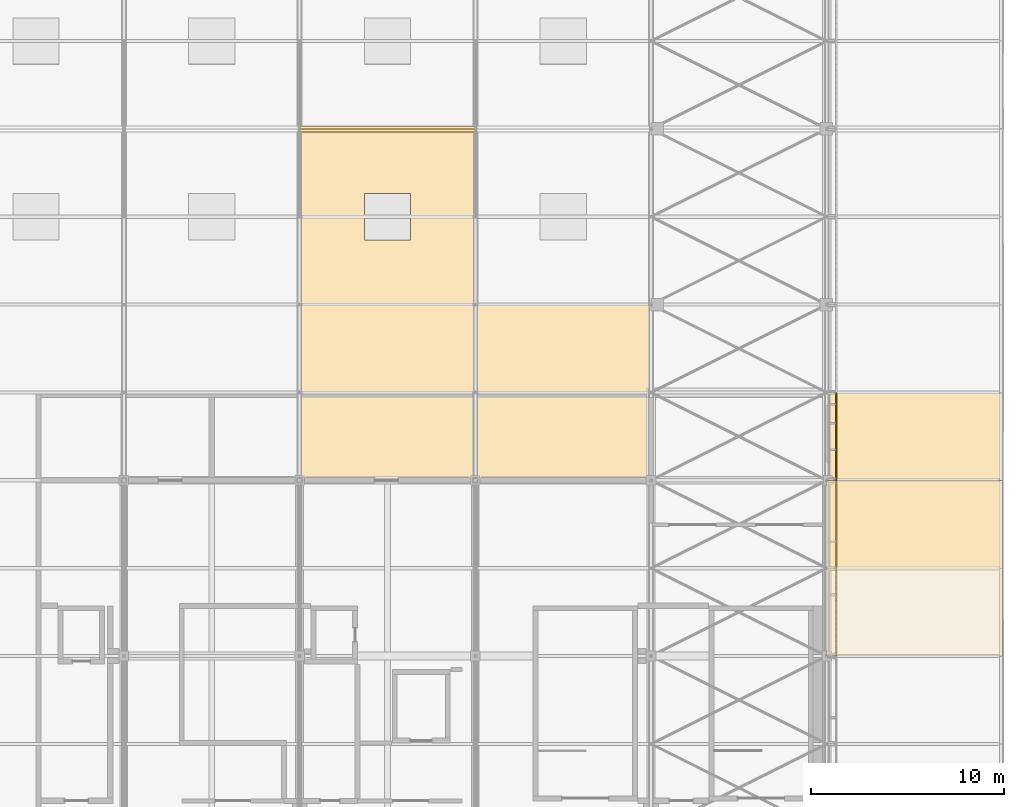
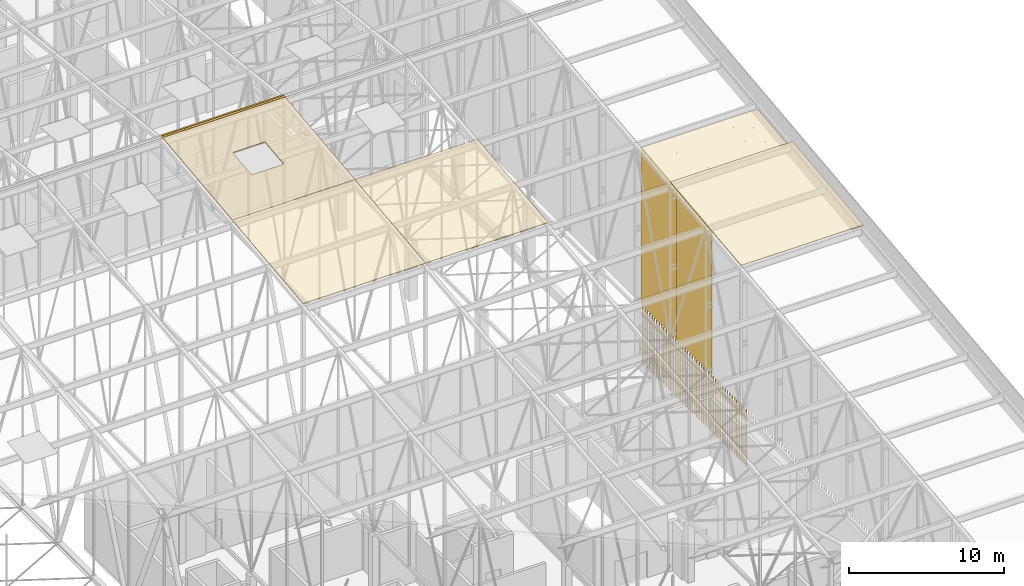
# One storey, part 490 of 500: 8 coverings, 4 shading devices.
"""IFC4 building model written with IfcOpenShell, lengths in metres."""

from ifc_helpers import new_model, si_unit, direction, frame, origin, origin_2d, place, context, subcontext, project, spatial, polyline, rectangle, outline, extrude, material, layer, layer_set, type_object, element, save


model = new_model("IFC4")

# Units and contexts
model_context = context("Model", 3, precision=1e-05, world=origin(), true_north=direction((0.0, 1.0)))
body_context = subcontext(model_context, "Body", "Model", "MODEL_VIEW")
ifc_project = project(units=[si_unit("LENGTHUNIT", "METRE"), si_unit("AREAUNIT", "SQUARE_METRE"), si_unit("VOLUMEUNIT", "CUBIC_METRE"), si_unit("PLANEANGLEUNIT", "RADIAN"), si_unit("MASSUNIT", "GRAM", prefix="KILO")], contexts=[model_context])

# Site, building, storey
site_placement = place(None, origin())
site = spatial("IfcSite", under=ifc_project, at=site_placement, CompositionType="ELEMENT")
building_placement = place(site_placement, origin())
building = spatial("IfcBuilding", under=site, at=building_placement, Name="Shirokan Park Arena", CompositionType="ELEMENT")
storey_placement = place(building_placement, frame((0.0, 0.0, 29.1201171875)))
storey = spatial("IfcBuildingStorey", under=building, at=storey_placement, Name="L06", CompositionType="ELEMENT", Elevation=29.1201171875)

# Coverings
ifc_material_1 = material(Name="Zinc standing seam sheet")
ifc_layer_1 = layer(ifc_material_1, 0.06005859375)
ifc_layer_set_1 = layer_set([ifc_layer_1], Name="Zinc standing seam sheet 60 mm")
covering_type_1 = type_object("IfcCoveringType", Name="Ridge cap 150x60", PredefinedType="CLADDING", material=ifc_layer_set_1)
covering_1_placement = place(storey_placement, frame((118.300048828125, 54.449951171875, 19.213623046875), z_axis=(0.0, -0.113090934841, 0.993584641818), x_axis=(1.0, 0.0, 0.0)))
element("IfcCovering", 1, at=covering_1_placement, inside=storey, type_object=covering_type_1, Name="Ridge cap", PredefinedType="CLADDING", context=body_context, shape_type="SweptSolid", body=[
    extrude(outline(polyline([(0.0, 0.0), (9.099853515625, 0.0), (9.099853515625, 0.15111594730395445), (0.0, 0.15111594730395445), (0.0, 0.0)])), origin(), (0.0, 0.0, -1.0), 0.06005859375),
])
covering_2_placement = place(storey_placement, frame((118.300048828125, 54.60009765625, 19.230712890625), z_axis=(0.0, 0.113272760674, 0.993563929342), x_axis=(1.0, 0.0, 0.0)))
element("IfcCovering", 2, at=covering_2_placement, inside=storey, type_object=covering_type_1, Name="Ridge cap", PredefinedType="CLADDING", context=body_context, shape_type="SweptSolid", body=[
    extrude(outline(polyline([(0.0, 0.0), (9.099853515625, 0.0), (9.099853515625, 0.1508733754548581), (0.0, 0.1508733754548581), (0.0, 0.0)])), origin(), (0.0, 0.0, -1.0), 0.06005859375),
])
ifc_material_2 = material(Name="Bituminous roofing membrane")
ifc_layer_2 = layer(ifc_material_2, 0.010009765625, Name="Bituminous roofing membrane")
ifc_material_3 = material(Name="Mineral wool insulation")
ifc_layer_3 = layer(ifc_material_3, 0.050048828125, Name="Mineral wool insulation")
ifc_layer_set_2 = layer_set([ifc_layer_2, ifc_layer_3], Name="Bituminous roofing membrane + Mineral wool insulation")
covering_type_2 = type_object("IfcCoveringType", Name="Roofing membrane 60", PredefinedType="ROOFING", material=ifc_layer_set_2)
covering_3_placement = place(storey_placement, frame((118.300048828125, 36.39990234375, 17.090576171875), z_axis=(0.0, -0.113549598152, 0.993532328996), x_axis=(1.0, 0.0, 0.0)))
element("IfcCovering", 3, at=covering_3_placement, inside=storey, type_object=covering_type_2, Name="Roofing", PredefinedType="ROOFING", context=body_context, shape_type="SweptSolid", body=[
    extrude(outline(polyline([(0.0, 0.0), (9.099853515625, 0.0), (9.099853515625, 9.15933723611117), (0.0, 9.15933723611117), (0.0, 0.0)])), origin(), (0.0, 0.0, -1.0), 0.06005859375),
])
covering_4_placement = place(storey_placement, frame((118.300048828125, 45.5, 18.130615234375), z_axis=(0.0, -0.113549598152, 0.993532328996), x_axis=(1.0, 0.0, 0.0)))
element("IfcCovering", 4, at=covering_4_placement, inside=storey, type_object=covering_type_2, Name="Roofing", PredefinedType="ROOFING", context=body_context, shape_type="SweptSolid", body=[
    extrude(outline(polyline([(0.0, 0.0), (9.099853515625, 0.0), (9.099853515625, 9.15933723611117), (0.0, 9.15933723611117), (0.0, 0.0)]), holes=[polyline([(5.75, 3.371898532319491), (5.75, 5.787438703791679), (3.349853515625, 5.787438703791679), (3.349853515625, 3.371898532319491), (5.75, 3.371898532319491)])]), origin(), (0.0, 0.0, -1.0), 0.06005859375),
])
covering_5_placement = place(storey_placement, frame((127.39990234375, 36.39990234375, 17.090576171875), z_axis=(0.0, -0.113549598152, 0.993532328996), x_axis=(1.0, 0.0, 0.0)))
element("IfcCovering", 5, at=covering_5_placement, inside=storey, type_object=covering_type_2, Name="Roofing", PredefinedType="ROOFING", context=body_context, shape_type="SweptSolid", body=[
    extrude(outline(polyline([(0.0, 0.0), (9.10009765625, 0.0), (9.10009765625, 9.15933723611117), (0.0, 9.15933723611117), (0.0, 0.0)])), origin(), (0.0, 0.0, -1.0), 0.06005859375),
])
covering_6_placement = place(storey_placement, frame((145.60009765625, 27.300048828125, 16.05078125), z_axis=(0.0, -0.113526293343, 0.993534992197), x_axis=(1.0, 0.0, 0.0)))
element("IfcCovering", 6, at=covering_6_placement, inside=storey, type_object=covering_type_2, Name="Roofing", PredefinedType="ROOFING", context=body_context, shape_type="SweptSolid", body=[
    extrude(outline(polyline([(0.0, 0.0), (9.099853515625, 0.0), (9.099853515625, 9.159066954957241), (0.0, 9.159066954957241), (0.0, 0.0)])), origin(), (0.0, 0.0, -1.0), 0.06005859375),
])
ifc_material_4 = material(Name="Timber soffit boards (cedar)", Category="wood")
ifc_layer_4 = layer(ifc_material_4, 0.030029296875)
ifc_layer_set_3 = layer_set([ifc_layer_4], Name="Timber soffit boards (cedar) 30 mm")
covering_type_3 = type_object("IfcCoveringType", Name="Timber boarded soffit panel", PredefinedType="CLADDING", material=ifc_layer_set_3)
covering_7_placement = place(storey_placement, origin())
element("IfcCovering", 7, at=covering_7_placement, inside=storey, type_object=covering_type_3, Name="Rake soffit east bay 10", PredefinedType="CLADDING", context=body_context, shape_type="SweptSolid", body=[
    extrude(outline(polyline([(0.0, 0.0), (0.12000000000000455, 0.0), (0.12000000000000455, -4.579617887990218), (0.0, -4.579617887990218), (0.0, 0.0)])), frame((145.846923828125, 31.85009765625, 15.86181640625), z_axis=(0.0, -0.113546591161, 0.993532672656), x_axis=(-1.0, 0.0, 0.0)), (0.0, 0.0, -1.0), 0.030029296875),
    extrude(outline(polyline([(0.0, 0.0), (0.11999999999997613, 0.0), (0.11999999999997613, -4.579617887990217), (0.0, -4.579617887990217), (0.0, 0.0)])), frame((154.580078125, 36.39990234375, 16.3818359375), z_axis=(0.0, -0.113546591161, 0.993532672656), x_axis=(1.0, 0.0, 0.0)), (0.0, 0.0, -1.0), 0.030029296875),
    extrude(outline(polyline([(0.0, 0.0), (0.12078064455863562, 0.0), (0.12078064455863562, -8.733000000000006), (0.0, -8.733000000000006), (0.0, 0.0)])), frame((154.580078125, 36.39990234375, 16.3818359375), z_axis=(0.0, -0.11351156512, 0.993536675007), x_axis=(0.0, -0.993536675007, -0.11351156512)), (0.0, 0.0, -1.0), 0.030029296875),
    extrude(outline(polyline([(0.0, 0.0), (0.12078064455863562, 0.0), (0.12078064455863562, -8.733000000000006), (0.0, -8.733000000000006), (0.0, 0.0)])), frame((145.846923828125, 31.85009765625, 15.86181640625), z_axis=(0.0, -0.11351156512, 0.993536675007), x_axis=(0.0, 0.993536675007, 0.11351156512)), (0.0, 0.0, -1.0), 0.030029296875),
    extrude(outline(polyline([(0.0, 0.0), (8.733000000000004, 0.0), (8.733000000000004, -0.18452428160000803), (0.0, -0.18452428160000803), (0.0, 0.0)])), frame((154.580078125, 31.969970703125, 15.87548828125), z_axis=(0.0, -0.113589386818, 0.99352778079), x_axis=(-1.0, 0.0, 0.0)), (0.0, 0.0, -1.0), 0.030029296875),
    extrude(outline(polyline([(0.0, 0.0), (8.733000000000004, 0.0), (8.733000000000004, -0.30531372586243744), (0.0, -0.30531372586243744), (0.0, 0.0)])), frame((154.580078125, 32.1533203125, 15.896484375), z_axis=(0.0, -0.113522573877, 0.993535417195), x_axis=(-1.0, 0.0, 0.0)), (0.0, 0.0, -1.0), 0.030029296875),
    extrude(outline(polyline([(0.0, 0.0), (8.733000000000004, 0.0), (8.733000000000004, -0.3053049259347073), (0.0, -0.3053049259347073), (0.0, 0.0)])), frame((154.580078125, 32.456787109375, 15.93115234375), z_axis=(0.0, -0.113558600124, 0.99353130013), x_axis=(-1.0, 0.0, 0.0)), (0.0, 0.0, -1.0), 0.030029296875),
    extrude(outline(polyline([(0.0, 0.0), (8.733000000000004, 0.0), (8.733000000000004, -0.3053049259347144), (0.0, -0.3053049259347144), (0.0, 0.0)])), frame((154.580078125, 32.760009765625, 15.9658203125), z_axis=(0.0, -0.113558600124, 0.99353130013), x_axis=(-1.0, 0.0, 0.0)), (0.0, 0.0, -1.0), 0.030029296875),
    extrude(outline(polyline([(0.0, 0.0), (8.733000000000004, 0.0), (8.733000000000004, -0.30531372586243044), (0.0, -0.30531372586243044), (0.0, 0.0)])), frame((154.580078125, 33.063232421875, 16.00048828125), z_axis=(0.0, -0.113522573877, 0.993535417195), x_axis=(-1.0, 0.0, 0.0)), (0.0, 0.0, -1.0), 0.030029296875),
    extrude(outline(polyline([(0.0, 0.0), (8.733000000000004, 0.0), (8.733000000000004, -0.3053049259347144), (0.0, -0.3053049259347144), (0.0, 0.0)])), frame((154.580078125, 33.36669921875, 16.03515625), z_axis=(0.0, -0.113558600124, 0.99353130013), x_axis=(-1.0, 0.0, 0.0)), (0.0, 0.0, -1.0), 0.030029296875),
    extrude(outline(polyline([(0.0, 0.0), (8.733000000000004, 0.0), (8.733000000000004, -0.3053049259347081), (0.0, -0.3053049259347081), (0.0, 0.0)])), frame((154.580078125, 33.669921875, 16.06982421875), z_axis=(0.0, -0.113558600124, 0.99353130013), x_axis=(-1.0, 0.0, 0.0)), (0.0, 0.0, -1.0), 0.030029296875),
    extrude(outline(polyline([(0.0, 0.0), (8.733000000000004, 0.0), (8.733000000000004, -0.3053137258624367), (0.0, -0.3053137258624367), (0.0, 0.0)])), frame((154.580078125, 33.973388671875, 16.1044921875), z_axis=(0.0, -0.113522573877, 0.993535417195), x_axis=(-1.0, 0.0, 0.0)), (0.0, 0.0, -1.0), 0.030029296875),
    extrude(outline(polyline([(0.0, 0.0), (8.733000000000004, 0.0), (8.733000000000004, -0.3053049259347073), (0.0, -0.3053049259347073), (0.0, 0.0)])), frame((154.580078125, 34.276611328125, 16.13916015625), z_axis=(0.0, -0.113558600124, 0.99353130013), x_axis=(-1.0, 0.0, 0.0)), (0.0, 0.0, -1.0), 0.030029296875),
    extrude(outline(polyline([(0.0, 0.0), (8.733000000000004, 0.0), (8.733000000000004, -0.3053049259347152), (0.0, -0.3053049259347152), (0.0, 0.0)])), frame((154.580078125, 34.580078125, 16.173828125), z_axis=(0.0, -0.113558600124, 0.99353130013), x_axis=(-1.0, 0.0, 0.0)), (0.0, 0.0, -1.0), 0.030029296875),
    extrude(outline(polyline([(0.0, 0.0), (8.733000000000004, 0.0), (8.733000000000004, -0.3053137258624296), (0.0, -0.3053137258624296), (0.0, 0.0)])), frame((154.580078125, 34.88330078125, 16.20849609375), z_axis=(0.0, -0.113522573877, 0.993535417195), x_axis=(-1.0, 0.0, 0.0)), (0.0, 0.0, -1.0), 0.030029296875),
    extrude(outline(polyline([(0.0, 0.0), (8.733000000000004, 0.0), (8.733000000000004, -0.3053049259347152), (0.0, -0.3053049259347152), (0.0, 0.0)])), frame((154.580078125, 35.186767578125, 16.2431640625), z_axis=(0.0, -0.113558600124, 0.99353130013), x_axis=(-1.0, 0.0, 0.0)), (0.0, 0.0, -1.0), 0.030029296875),
    extrude(outline(polyline([(0.0, 0.0), (8.733000000000004, 0.0), (8.733000000000004, -0.3053049259347073), (0.0, -0.3053049259347073), (0.0, 0.0)])), frame((154.580078125, 35.489990234375, 16.27783203125), z_axis=(0.0, -0.113558600124, 0.99353130013), x_axis=(-1.0, 0.0, 0.0)), (0.0, 0.0, -1.0), 0.030029296875),
    extrude(outline(polyline([(0.0, 0.0), (8.733000000000004, 0.0), (8.733000000000004, -0.3053137258624367), (0.0, -0.3053137258624367), (0.0, 0.0)])), frame((154.580078125, 35.793212890625, 16.3125), z_axis=(0.0, -0.113522573877, 0.993535417195), x_axis=(-1.0, 0.0, 0.0)), (0.0, 0.0, -1.0), 0.030029296875),
    extrude(outline(polyline([(0.0, 0.0), (0.18452428160000886, 0.0), (0.18452428160000886, -8.733000000000004), (0.0, -8.733000000000004), (0.0, 0.0)])), frame((154.580078125, 36.280029296875, 16.3681640625), z_axis=(0.0, -0.113589386818, 0.99352778079), x_axis=(0.0, -0.99352778079, -0.113589386818)), (0.0, 0.0, -1.0), 0.030029296875),
])
covering_8_placement = place(storey_placement, origin())
element("IfcCovering", 8, at=covering_8_placement, inside=storey, type_object=covering_type_3, Name="Rake soffit east bay 11", PredefinedType="CLADDING", context=body_context, shape_type="SweptSolid", body=[
    extrude(outline(polyline([(0.0, 0.0), (0.12000000000000455, 0.0), (0.12000000000000455, -4.579617887990224), (0.0, -4.579617887990224), (0.0, 0.0)])), frame((145.846923828125, 36.39990234375, 16.3818359375), z_axis=(0.0, -0.113546591161, 0.993532672656), x_axis=(-1.0, 0.0, 0.0)), (0.0, 0.0, -1.0), 0.030029296875),
    extrude(outline(polyline([(0.0, 0.0), (0.11999999999997613, 0.0), (0.11999999999997613, -4.579617887990223), (0.0, -4.579617887990223), (0.0, 0.0)])), frame((154.580078125, 40.949951171875, 16.90185546875), z_axis=(0.0, -0.113546591161, 0.993532672656), x_axis=(1.0, 0.0, 0.0)), (0.0, 0.0, -1.0), 0.030029296875),
    extrude(outline(polyline([(0.0, 0.0), (0.12078064455864188, 0.0), (0.12078064455864188, -8.733000000000004), (0.0, -8.733000000000004), (0.0, 0.0)])), frame((154.580078125, 40.949951171875, 16.90185546875), z_axis=(0.0, -0.11351156512, 0.993536675007), x_axis=(0.0, -0.993536675007, -0.11351156512)), (0.0, 0.0, -1.0), 0.030029296875),
    extrude(outline(polyline([(0.0, 0.0), (0.12078064455864188, 0.0), (0.12078064455864188, -8.733000000000004), (0.0, -8.733000000000004), (0.0, 0.0)])), frame((145.846923828125, 36.39990234375, 16.3818359375), z_axis=(0.0, -0.11351156512, 0.993536675007), x_axis=(0.0, 0.993536675007, 0.11351156512)), (0.0, 0.0, -1.0), 0.030029296875),
    extrude(outline(polyline([(0.0, 0.0), (8.733000000000004, 0.0), (8.733000000000004, -0.18452428160000886), (0.0, -0.18452428160000886), (0.0, 0.0)])), frame((154.580078125, 36.52001953125, 16.3955078125), z_axis=(0.0, -0.113589386818, 0.99352778079), x_axis=(-1.0, 0.0, 0.0)), (0.0, 0.0, -1.0), 0.030029296875),
    extrude(outline(polyline([(0.0, 0.0), (8.733000000000004, 0.0), (8.733000000000004, -0.30531372586243044), (0.0, -0.30531372586243044), (0.0, 0.0)])), frame((154.580078125, 36.703369140625, 16.41650390625), z_axis=(0.0, -0.113522573877, 0.993535417195), x_axis=(-1.0, 0.0, 0.0)), (0.0, 0.0, -1.0), 0.030029296875),
    extrude(outline(polyline([(0.0, 0.0), (8.733000000000004, 0.0), (8.733000000000004, -0.3053049259347144), (0.0, -0.3053049259347144), (0.0, 0.0)])), frame((154.580078125, 37.006591796875, 16.451171875), z_axis=(0.0, -0.113558600124, 0.99353130013), x_axis=(-1.0, 0.0, 0.0)), (0.0, 0.0, -1.0), 0.030029296875),
    extrude(outline(polyline([(0.0, 0.0), (8.733000000000004, 0.0), (8.733000000000004, -0.3053049259347073), (0.0, -0.3053049259347073), (0.0, 0.0)])), frame((154.580078125, 37.31005859375, 16.48583984375), z_axis=(0.0, -0.113558600124, 0.99353130013), x_axis=(-1.0, 0.0, 0.0)), (0.0, 0.0, -1.0), 0.030029296875),
    extrude(outline(polyline([(0.0, 0.0), (8.733000000000004, 0.0), (8.733000000000004, -0.30531372586243744), (0.0, -0.30531372586243744), (0.0, 0.0)])), frame((154.580078125, 37.61328125, 16.5205078125), z_axis=(0.0, -0.113522573877, 0.993535417195), x_axis=(-1.0, 0.0, 0.0)), (0.0, 0.0, -1.0), 0.030029296875),
    extrude(outline(polyline([(0.0, 0.0), (8.733000000000004, 0.0), (8.733000000000004, -0.3053049259347073), (0.0, -0.3053049259347073), (0.0, 0.0)])), frame((154.580078125, 37.916748046875, 16.55517578125), z_axis=(0.0, -0.113558600124, 0.99353130013), x_axis=(-1.0, 0.0, 0.0)), (0.0, 0.0, -1.0), 0.030029296875),
    extrude(outline(polyline([(0.0, 0.0), (8.733000000000004, 0.0), (8.733000000000004, -0.3053049259347144), (0.0, -0.3053049259347144), (0.0, 0.0)])), frame((154.580078125, 38.219970703125, 16.58984375), z_axis=(0.0, -0.113558600124, 0.99353130013), x_axis=(-1.0, 0.0, 0.0)), (0.0, 0.0, -1.0), 0.030029296875),
    extrude(outline(polyline([(0.0, 0.0), (8.733000000000004, 0.0), (8.733000000000004, -0.3053137258624304), (0.0, -0.3053137258624304), (0.0, 0.0)])), frame((154.580078125, 38.5234375, 16.62451171875), z_axis=(0.0, -0.113522573877, 0.993535417195), x_axis=(-1.0, 0.0, 0.0)), (0.0, 0.0, -1.0), 0.030029296875),
    extrude(outline(polyline([(0.0, 0.0), (8.733000000000004, 0.0), (8.733000000000004, -0.3053049259347144), (0.0, -0.3053049259347144), (0.0, 0.0)])), frame((154.580078125, 38.82666015625, 16.6591796875), z_axis=(0.0, -0.113558600124, 0.99353130013), x_axis=(-1.0, 0.0, 0.0)), (0.0, 0.0, -1.0), 0.030029296875),
    extrude(outline(polyline([(0.0, 0.0), (8.733000000000004, 0.0), (8.733000000000004, -0.3053049259347073), (0.0, -0.3053049259347073), (0.0, 0.0)])), frame((154.580078125, 39.1298828125, 16.69384765625), z_axis=(0.0, -0.113558600124, 0.99353130013), x_axis=(-1.0, 0.0, 0.0)), (0.0, 0.0, -1.0), 0.030029296875),
    extrude(outline(polyline([(0.0, 0.0), (8.733000000000004, 0.0), (8.733000000000004, -0.30531372586243044), (0.0, -0.30531372586243044), (0.0, 0.0)])), frame((154.580078125, 39.433349609375, 16.728515625), z_axis=(0.0, -0.113522573877, 0.993535417195), x_axis=(-1.0, 0.0, 0.0)), (0.0, 0.0, -1.0), 0.030029296875),
    extrude(outline(polyline([(0.0, 0.0), (8.733000000000004, 0.0), (8.733000000000004, -0.3053049259347144), (0.0, -0.3053049259347144), (0.0, 0.0)])), frame((154.580078125, 39.736572265625, 16.76318359375), z_axis=(0.0, -0.113558600124, 0.99353130013), x_axis=(-1.0, 0.0, 0.0)), (0.0, 0.0, -1.0), 0.030029296875),
    extrude(outline(polyline([(0.0, 0.0), (8.733000000000004, 0.0), (8.733000000000004, -0.3053049259347144), (0.0, -0.3053049259347144), (0.0, 0.0)])), frame((154.580078125, 40.0400390625, 16.7978515625), z_axis=(0.0, -0.113558600124, 0.99353130013), x_axis=(-1.0, 0.0, 0.0)), (0.0, 0.0, -1.0), 0.030029296875),
    extrude(outline(polyline([(0.0, 0.0), (8.733000000000004, 0.0), (8.733000000000004, -0.30531372586243044), (0.0, -0.30531372586243044), (0.0, 0.0)])), frame((154.580078125, 40.34326171875, 16.83251953125), z_axis=(0.0, -0.113522573877, 0.993535417195), x_axis=(-1.0, 0.0, 0.0)), (0.0, 0.0, -1.0), 0.030029296875),
    extrude(outline(polyline([(0.0, 0.0), (0.18452428160000886, 0.0), (0.18452428160000886, -8.733000000000004), (0.0, -8.733000000000004), (0.0, 0.0)])), frame((154.580078125, 40.830078125, 16.88818359375), z_axis=(0.0, -0.113589386818, 0.99352778079), x_axis=(0.0, -0.99352778079, -0.113589386818)), (0.0, 0.0, -1.0), 0.030029296875),
])

# Shading devices
ifc_material_5 = material(Name="Timber louvre veil (cedar)", Category="wood")
shading_device_type_1 = type_object("IfcShadingDeviceType", Name="Timber louvre veil panel", PredefinedType="JALOUSIE", material=ifc_material_5)
shading_device_1_placement = place(storey_placement, origin())
element("IfcShadingDevice", 9, at=shading_device_1_placement, inside=storey, type_object=shading_device_type_1, Name="Timber louvre veil east bay 4 L06", PredefinedType="JALOUSIE", context=body_context, shape_type="SweptSolid", body=[
    extrude(rectangle(XDim=0.050048828125, YDim=0.080078125, at=origin_2d()), frame((146.0849609375, 27.45166015625, 0.0), z_axis=(0.0, 0.0, 1.0), x_axis=(0.0, 1.0, 0.0)), (0.0, 0.0, 1.0), 4.5),
    extrude(rectangle(XDim=0.050048828125, YDim=0.080078125, at=origin_2d()), frame((146.0849609375, 27.7548828125, 0.0), z_axis=(0.0, 0.0, 1.0), x_axis=(0.0, 1.0, 0.0)), (0.0, 0.0, 1.0), 4.5),
    extrude(rectangle(XDim=0.050048828125, YDim=0.080078125, at=origin_2d()), frame((146.0849609375, 28.058349609375, 0.0), z_axis=(0.0, 0.0, 1.0), x_axis=(0.0, 1.0, 0.0)), (0.0, 0.0, 1.0), 4.5),
    extrude(rectangle(XDim=0.050048828125, YDim=0.080078125, at=origin_2d()), frame((146.0849609375, 28.361572265625, 0.0), z_axis=(0.0, 0.0, 1.0), x_axis=(0.0, 1.0, 0.0)), (0.0, 0.0, 1.0), 4.5),
    extrude(rectangle(XDim=0.050048828125, YDim=0.080078125, at=origin_2d()), frame((146.0849609375, 28.6650390625, 0.0), z_axis=(0.0, 0.0, 1.0), x_axis=(0.0, 1.0, 0.0)), (0.0, 0.0, 1.0), 4.5),
    extrude(rectangle(XDim=0.050048828125, YDim=0.080078125, at=origin_2d()), frame((146.0849609375, 28.96826171875, 0.0), z_axis=(0.0, 0.0, 1.0), x_axis=(0.0, 1.0, 0.0)), (0.0, 0.0, 1.0), 4.5),
    extrude(rectangle(XDim=0.050048828125, YDim=0.080078125, at=origin_2d()), frame((146.0849609375, 29.271728515625, 0.0), z_axis=(0.0, 0.0, 1.0), x_axis=(0.0, 1.0, 0.0)), (0.0, 0.0, 1.0), 4.5),
    extrude(rectangle(XDim=0.050048828125, YDim=0.080078125, at=origin_2d()), frame((146.0849609375, 29.574951171875, 0.0), z_axis=(0.0, 0.0, 1.0), x_axis=(0.0, 1.0, 0.0)), (0.0, 0.0, 1.0), 4.5),
    extrude(rectangle(XDim=0.050048828125, YDim=0.080078125, at=origin_2d()), frame((146.0849609375, 29.87841796875, 0.0), z_axis=(0.0, 0.0, 1.0), x_axis=(0.0, 1.0, 0.0)), (0.0, 0.0, 1.0), 4.5),
    extrude(rectangle(XDim=0.050048828125, YDim=0.080078125, at=origin_2d()), frame((146.0849609375, 30.181640625, 0.0), z_axis=(0.0, 0.0, 1.0), x_axis=(0.0, 1.0, 0.0)), (0.0, 0.0, 1.0), 4.5),
    extrude(rectangle(XDim=0.050048828125, YDim=0.080078125, at=origin_2d()), frame((146.0849609375, 30.485107421875, 0.0), z_axis=(0.0, 0.0, 1.0), x_axis=(0.0, 1.0, 0.0)), (0.0, 0.0, 1.0), 4.5),
    extrude(rectangle(XDim=0.050048828125, YDim=0.080078125, at=origin_2d()), frame((146.0849609375, 30.788330078125, 0.0), z_axis=(0.0, 0.0, 1.0), x_axis=(0.0, 1.0, 0.0)), (0.0, 0.0, 1.0), 4.5),
    extrude(rectangle(XDim=0.050048828125, YDim=0.080078125, at=origin_2d()), frame((146.0849609375, 31.091552734375, 0.0), z_axis=(0.0, 0.0, 1.0), x_axis=(0.0, 1.0, 0.0)), (0.0, 0.0, 1.0), 4.5),
    extrude(rectangle(XDim=0.050048828125, YDim=0.080078125, at=origin_2d()), frame((146.0849609375, 31.39501953125, 0.0), z_axis=(0.0, 0.0, 1.0), x_axis=(0.0, 1.0, 0.0)), (0.0, 0.0, 1.0), 4.5),
    extrude(rectangle(XDim=0.050048828125, YDim=0.080078125, at=origin_2d()), frame((146.0849609375, 31.6982421875, 0.0), z_axis=(0.0, 0.0, 1.0), x_axis=(0.0, 1.0, 0.0)), (0.0, 0.0, 1.0), 4.5),
    extrude(rectangle(XDim=0.050048828125, YDim=0.080078125, at=origin_2d()), frame((146.0849609375, 32.001708984375, 0.0), z_axis=(0.0, 0.0, 1.0), x_axis=(0.0, 1.0, 0.0)), (0.0, 0.0, 1.0), 4.5),
    extrude(rectangle(XDim=0.050048828125, YDim=0.080078125, at=origin_2d()), frame((146.0849609375, 32.304931640625, 0.0), z_axis=(0.0, 0.0, 1.0), x_axis=(0.0, 1.0, 0.0)), (0.0, 0.0, 1.0), 4.5),
    extrude(rectangle(XDim=0.050048828125, YDim=0.080078125, at=origin_2d()), frame((146.0849609375, 32.6083984375, 0.0), z_axis=(0.0, 0.0, 1.0), x_axis=(0.0, 1.0, 0.0)), (0.0, 0.0, 1.0), 4.5),
    extrude(rectangle(XDim=0.050048828125, YDim=0.080078125, at=origin_2d()), frame((146.0849609375, 32.91162109375, 0.0), z_axis=(0.0, 0.0, 1.0), x_axis=(0.0, 1.0, 0.0)), (0.0, 0.0, 1.0), 4.5),
    extrude(rectangle(XDim=0.050048828125, YDim=0.080078125, at=origin_2d()), frame((146.0849609375, 33.215087890625, 0.0), z_axis=(0.0, 0.0, 1.0), x_axis=(0.0, 1.0, 0.0)), (0.0, 0.0, 1.0), 4.5),
    extrude(rectangle(XDim=0.050048828125, YDim=0.080078125, at=origin_2d()), frame((146.0849609375, 33.518310546875, 0.0), z_axis=(0.0, 0.0, 1.0), x_axis=(0.0, 1.0, 0.0)), (0.0, 0.0, 1.0), 4.5),
    extrude(rectangle(XDim=0.050048828125, YDim=0.080078125, at=origin_2d()), frame((146.0849609375, 33.82177734375, 0.0), z_axis=(0.0, 0.0, 1.0), x_axis=(0.0, 1.0, 0.0)), (0.0, 0.0, 1.0), 4.5),
    extrude(rectangle(XDim=0.050048828125, YDim=0.080078125, at=origin_2d()), frame((146.0849609375, 34.125, 0.0), z_axis=(0.0, 0.0, 1.0), x_axis=(0.0, 1.0, 0.0)), (0.0, 0.0, 1.0), 4.5),
    extrude(rectangle(XDim=0.050048828125, YDim=0.080078125, at=origin_2d()), frame((146.0849609375, 34.42822265625, 0.0), z_axis=(0.0, 0.0, 1.0), x_axis=(0.0, 1.0, 0.0)), (0.0, 0.0, 1.0), 4.5),
    extrude(rectangle(XDim=0.050048828125, YDim=0.080078125, at=origin_2d()), frame((146.0849609375, 34.731689453125, 0.0), z_axis=(0.0, 0.0, 1.0), x_axis=(0.0, 1.0, 0.0)), (0.0, 0.0, 1.0), 4.5),
    extrude(rectangle(XDim=0.050048828125, YDim=0.080078125, at=origin_2d()), frame((146.0849609375, 35.034912109375, 0.0), z_axis=(0.0, 0.0, 1.0), x_axis=(0.0, 1.0, 0.0)), (0.0, 0.0, 1.0), 4.5),
    extrude(rectangle(XDim=0.050048828125, YDim=0.080078125, at=origin_2d()), frame((146.0849609375, 35.33837890625, 0.0), z_axis=(0.0, 0.0, 1.0), x_axis=(0.0, 1.0, 0.0)), (0.0, 0.0, 1.0), 4.5),
    extrude(rectangle(XDim=0.050048828125, YDim=0.080078125, at=origin_2d()), frame((146.0849609375, 35.6416015625, 0.0), z_axis=(0.0, 0.0, 1.0), x_axis=(0.0, 1.0, 0.0)), (0.0, 0.0, 1.0), 4.5),
    extrude(rectangle(XDim=0.050048828125, YDim=0.080078125, at=origin_2d()), frame((146.0849609375, 35.945068359375, 0.0), z_axis=(0.0, 0.0, 1.0), x_axis=(0.0, 1.0, 0.0)), (0.0, 0.0, 1.0), 4.5),
    extrude(rectangle(XDim=0.050048828125, YDim=0.080078125, at=origin_2d()), frame((146.0849609375, 36.248291015625, 0.0), z_axis=(0.0, 0.0, 1.0), x_axis=(0.0, 1.0, 0.0)), (0.0, 0.0, 1.0), 4.5),
    extrude(rectangle(XDim=9.10009765625, YDim=0.050048828125, at=origin_2d()), frame((146.070068359375, 31.85009765625, 1.059814453125), z_axis=(0.0, 0.0, 1.0), x_axis=(0.0, 1.0, 0.0)), (0.0, 0.0, 1.0), 0.080078125),
    extrude(rectangle(XDim=9.10009765625, YDim=0.050048828125, at=origin_2d()), frame((146.070068359375, 31.85009765625, 3.809814453125), z_axis=(0.0, 0.0, 1.0), x_axis=(0.0, 1.0, 0.0)), (0.0, 0.0, 1.0), 0.080078125),
])
shading_device_2_placement = place(storey_placement, origin())
element("IfcShadingDevice", 10, at=shading_device_2_placement, inside=storey, type_object=shading_device_type_1, Name="Timber louvre veil east bay 5 L06", PredefinedType="JALOUSIE", context=body_context, shape_type="SweptSolid", body=[
    extrude(rectangle(XDim=0.050048828125, YDim=0.080078125, at=origin_2d()), frame((146.0849609375, 36.5517578125, 0.0), z_axis=(0.0, 0.0, 1.0), x_axis=(0.0, 1.0, 0.0)), (0.0, 0.0, 1.0), 4.5),
    extrude(rectangle(XDim=0.050048828125, YDim=0.080078125, at=origin_2d()), frame((146.0849609375, 36.85498046875, 0.0), z_axis=(0.0, 0.0, 1.0), x_axis=(0.0, 1.0, 0.0)), (0.0, 0.0, 1.0), 4.5),
    extrude(rectangle(XDim=0.050048828125, YDim=0.080078125, at=origin_2d()), frame((146.0849609375, 37.158447265625, 0.0), z_axis=(0.0, 0.0, 1.0), x_axis=(0.0, 1.0, 0.0)), (0.0, 0.0, 1.0), 4.5),
    extrude(rectangle(XDim=0.050048828125, YDim=0.080078125, at=origin_2d()), frame((146.0849609375, 37.461669921875, 0.0), z_axis=(0.0, 0.0, 1.0), x_axis=(0.0, 1.0, 0.0)), (0.0, 0.0, 1.0), 4.5),
    extrude(rectangle(XDim=0.050048828125, YDim=0.080078125, at=origin_2d()), frame((146.0849609375, 37.764892578125, 0.0), z_axis=(0.0, 0.0, 1.0), x_axis=(0.0, 1.0, 0.0)), (0.0, 0.0, 1.0), 4.5),
    extrude(rectangle(XDim=0.050048828125, YDim=0.080078125, at=origin_2d()), frame((146.0849609375, 38.068359375, 0.0), z_axis=(0.0, 0.0, 1.0), x_axis=(0.0, 1.0, 0.0)), (0.0, 0.0, 1.0), 4.5),
    extrude(rectangle(XDim=0.050048828125, YDim=0.080078125, at=origin_2d()), frame((146.0849609375, 38.37158203125, 0.0), z_axis=(0.0, 0.0, 1.0), x_axis=(0.0, 1.0, 0.0)), (0.0, 0.0, 1.0), 4.5),
    extrude(rectangle(XDim=0.050048828125, YDim=0.080078125, at=origin_2d()), frame((146.0849609375, 38.675048828125, 0.0), z_axis=(0.0, 0.0, 1.0), x_axis=(0.0, 1.0, 0.0)), (0.0, 0.0, 1.0), 4.5),
    extrude(rectangle(XDim=0.050048828125, YDim=0.080078125, at=origin_2d()), frame((146.0849609375, 38.978271484375, 0.0), z_axis=(0.0, 0.0, 1.0), x_axis=(0.0, 1.0, 0.0)), (0.0, 0.0, 1.0), 4.5),
    extrude(rectangle(XDim=0.050048828125, YDim=0.080078125, at=origin_2d()), frame((146.0849609375, 39.28173828125, 0.0), z_axis=(0.0, 0.0, 1.0), x_axis=(0.0, 1.0, 0.0)), (0.0, 0.0, 1.0), 4.5),
    extrude(rectangle(XDim=0.050048828125, YDim=0.080078125, at=origin_2d()), frame((146.0849609375, 39.5849609375, 0.0), z_axis=(0.0, 0.0, 1.0), x_axis=(0.0, 1.0, 0.0)), (0.0, 0.0, 1.0), 4.5),
    extrude(rectangle(XDim=0.050048828125, YDim=0.080078125, at=origin_2d()), frame((146.0849609375, 39.888427734375, 0.0), z_axis=(0.0, 0.0, 1.0), x_axis=(0.0, 1.0, 0.0)), (0.0, 0.0, 1.0), 4.5),
    extrude(rectangle(XDim=0.050048828125, YDim=0.080078125, at=origin_2d()), frame((146.0849609375, 40.191650390625, 0.0), z_axis=(0.0, 0.0, 1.0), x_axis=(0.0, 1.0, 0.0)), (0.0, 0.0, 1.0), 4.5),
    extrude(rectangle(XDim=0.050048828125, YDim=0.080078125, at=origin_2d()), frame((146.0849609375, 40.4951171875, 0.0), z_axis=(0.0, 0.0, 1.0), x_axis=(0.0, 1.0, 0.0)), (0.0, 0.0, 1.0), 4.5),
    extrude(rectangle(XDim=0.050048828125, YDim=0.080078125, at=origin_2d()), frame((146.0849609375, 40.79833984375, 0.0), z_axis=(0.0, 0.0, 1.0), x_axis=(0.0, 1.0, 0.0)), (0.0, 0.0, 1.0), 4.5),
    extrude(rectangle(XDim=4.550048828125, YDim=0.050048828125, at=origin_2d()), frame((146.070068359375, 38.675048828125, 1.059814453125), z_axis=(0.0, 0.0, 1.0), x_axis=(0.0, 1.0, 0.0)), (0.0, 0.0, 1.0), 0.080078125),
    extrude(rectangle(XDim=4.550048828125, YDim=0.050048828125, at=origin_2d()), frame((146.070068359375, 38.675048828125, 3.809814453125), z_axis=(0.0, 0.0, 1.0), x_axis=(0.0, 1.0, 0.0)), (0.0, 0.0, 1.0), 0.080078125),
])
shading_device_type_2 = type_object("IfcShadingDeviceType", Name="Timber louvre veil panel, gable band, closed", PredefinedType="JALOUSIE", material=ifc_material_5)
shading_device_3_placement = place(storey_placement, origin())
element("IfcShadingDevice", 11, at=shading_device_3_placement, inside=storey, type_object=shading_device_type_2, Name="Timber louvre veil gable band east bay 10", PredefinedType="JALOUSIE", context=body_context, shape_type="SweptSolid", body=[
    extrude(outline(polyline([(32.1533203125, 15.831787109375), (31.85009765625, 15.831787109375), (31.85009765625, 4.575927734375), (36.39990234375, 4.575927734375), (36.39990234375, 16.317138671875), (36.0966796875, 16.317138671875), (36.0966796875, 16.282470703125), (35.793212890625, 16.282470703125), (35.793212890625, 16.247802734375), (35.489990234375, 16.247802734375), (35.489990234375, 16.213134765625), (35.186767578125, 16.213134765625), (35.186767578125, 16.178466796875), (34.88330078125, 16.178466796875), (34.88330078125, 16.143798828125), (34.580078125, 16.143798828125), (34.580078125, 16.109130859375), (34.276611328125, 16.109130859375), (34.276611328125, 16.074462890625), (33.973388671875, 16.074462890625), (33.973388671875, 16.039794921875), (33.669921875, 16.039794921875), (33.669921875, 16.005126953125), (33.36669921875, 16.005126953125), (33.36669921875, 15.970458984375), (33.063232421875, 15.970458984375), (33.063232421875, 15.935791015625), (32.760009765625, 15.935791015625), (32.760009765625, 15.901123046875), (32.456787109375, 15.901123046875), (32.456787109375, 15.866455078125), (32.1533203125, 15.866455078125), (32.1533203125, 15.831787109375)])), frame((146.044921875, 0.0, 0.0), z_axis=(1.0, 0.0, 0.0), x_axis=(0.0, 1.0, 0.0)), (0.0, 0.0, 1.0), 0.080078125),
    extrude(rectangle(XDim=0.050048828125, YDim=4.550048828125, at=origin_2d()), frame((146.070068359375, 34.125, 4.98583984375), z_axis=(0.0, 0.0, 1.0), x_axis=(1.0, 0.0, 0.0)), (0.0, 0.0, 1.0), 0.080078125),
    extrude(rectangle(XDim=0.050048828125, YDim=4.550048828125, at=origin_2d()), frame((146.070068359375, 34.125, 10.163818359375), z_axis=(0.0, 0.0, 1.0), x_axis=(1.0, 0.0, 0.0)), (0.0, 0.0, 1.0), 0.080078125),
    extrude(rectangle(XDim=0.050048828125, YDim=4.550048828125, at=origin_2d()), frame((146.070068359375, 34.125, 15.69189453125), z_axis=(0.0, 0.0, 1.0), x_axis=(1.0, 0.0, 0.0)), (0.0, 0.0, 1.0), 0.080078125),
])
shading_device_4_placement = place(storey_placement, origin())
element("IfcShadingDevice", 12, at=shading_device_4_placement, inside=storey, type_object=shading_device_type_2, Name="Timber louvre veil gable band east bay 11", PredefinedType="JALOUSIE", context=body_context, shape_type="SweptSolid", body=[
    extrude(outline(polyline([(36.703369140625, 16.351806640625), (36.39990234375, 16.351806640625), (36.39990234375, 4.575927734375), (40.949951171875, 4.575927734375), (40.949951171875, 16.837158203125), (40.646728515625, 16.837158203125), (40.646728515625, 16.802490234375), (40.34326171875, 16.802490234375), (40.34326171875, 16.767822265625), (40.0400390625, 16.767822265625), (40.0400390625, 16.733154296875), (39.736572265625, 16.733154296875), (39.736572265625, 16.698486328125), (39.433349609375, 16.698486328125), (39.433349609375, 16.663818359375), (39.1298828125, 16.663818359375), (39.1298828125, 16.629150390625), (38.82666015625, 16.629150390625), (38.82666015625, 16.594482421875), (38.5234375, 16.594482421875), (38.5234375, 16.559814453125), (38.219970703125, 16.559814453125), (38.219970703125, 16.525146484375), (37.916748046875, 16.525146484375), (37.916748046875, 16.490478515625), (37.61328125, 16.490478515625), (37.61328125, 16.455810546875), (37.31005859375, 16.455810546875), (37.31005859375, 16.421142578125), (37.006591796875, 16.421142578125), (37.006591796875, 16.386474609375), (36.703369140625, 16.386474609375), (36.703369140625, 16.351806640625)])), frame((146.044921875, 0.0, 0.0), z_axis=(1.0, 0.0, 0.0), x_axis=(0.0, 1.0, 0.0)), (0.0, 0.0, 1.0), 0.080078125),
    extrude(rectangle(XDim=0.050048828125, YDim=4.550048828125, at=origin_2d()), frame((146.070068359375, 38.675048828125, 4.98583984375), z_axis=(0.0, 0.0, 1.0), x_axis=(1.0, 0.0, 0.0)), (0.0, 0.0, 1.0), 0.080078125),
    extrude(rectangle(XDim=0.050048828125, YDim=4.550048828125, at=origin_2d()), frame((146.070068359375, 38.675048828125, 10.423828125), z_axis=(0.0, 0.0, 1.0), x_axis=(1.0, 0.0, 0.0)), (0.0, 0.0, 1.0), 0.080078125),
    extrude(rectangle(XDim=0.050048828125, YDim=4.550048828125, at=origin_2d()), frame((146.070068359375, 38.675048828125, 16.2119140625), z_axis=(0.0, 0.0, 1.0), x_axis=(1.0, 0.0, 0.0)), (0.0, 0.0, 1.0), 0.080078125),
])

save(model, "model.ifc")
